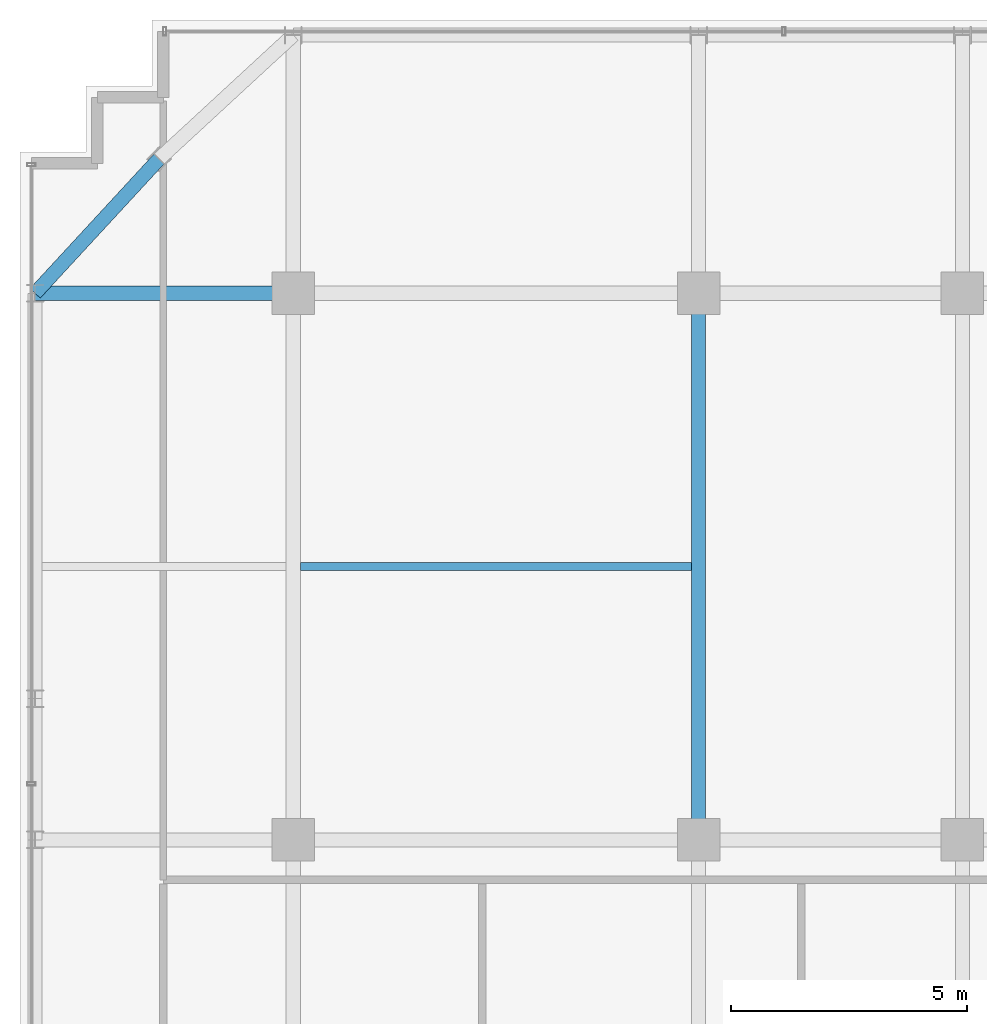
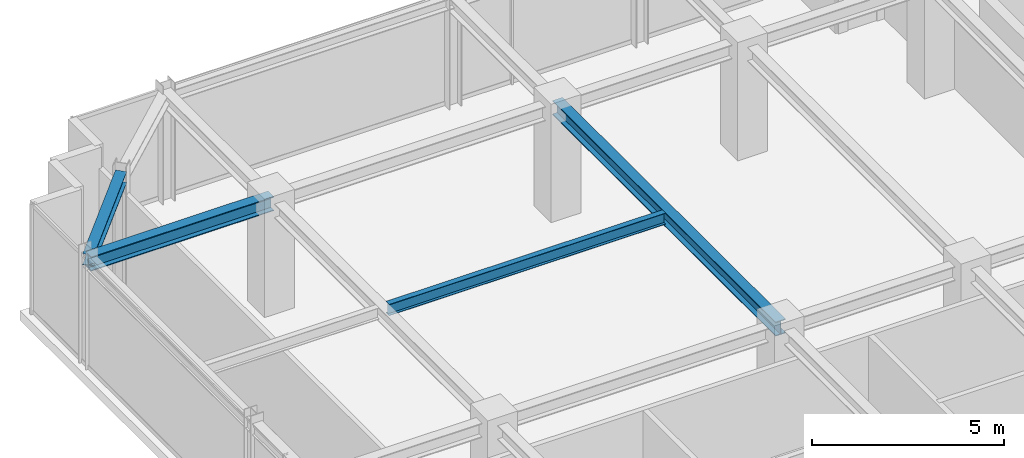
# One storey, part 16 of 32: 4 beams.
"""IFC4 building model written with IfcOpenShell, lengths in metres."""

from ifc_helpers import new_model, si_unit, direction, frame, origin, origin_2d, place, context, subcontext, project, spatial, i_section, extrude, source, transform, mapped, material, material_profile, profile_set, type_object, element, save


model = new_model("IFC4")

# Units and contexts
model_context = context("Model", 3, precision=1e-05, world=origin(), true_north=direction((0.0, 1.0)))
body_context = subcontext(model_context, "Body", "Model", "MODEL_VIEW")
ifc_project = project(units=[si_unit("LENGTHUNIT", "METRE"), si_unit("AREAUNIT", "SQUARE_METRE"), si_unit("VOLUMEUNIT", "CUBIC_METRE"), si_unit("PLANEANGLEUNIT", "RADIAN"), si_unit("MASSUNIT", "GRAM", prefix="KILO")], contexts=[model_context])

# Site, building, storey
site_placement = place(None, origin())
site = spatial("IfcSite", under=ifc_project, at=site_placement, CompositionType="ELEMENT")
building_placement = place(site_placement, origin())
building = spatial("IfcBuilding", under=site, at=building_placement, Name="Nahalor Promenade Grand Hotel", CompositionType="ELEMENT")
storey_placement = place(building_placement, frame((0.0, 0.0, 330.949951171875)))
storey = spatial("IfcBuildingStorey", under=building, at=storey_placement, Name="L85", CompositionType="ELEMENT", Elevation=330.949951171875)

# Beams
ifc_material = material(Name="Steel S355JR", Category="steel")
ifc_material_profile_1 = material_profile(ifc_material, i_section(OverallWidth=0.3, OverallDepth=0.45, WebThickness=0.014, FlangeThickness=0.026, at=origin_2d()), Name="HEB 450")
ifc_profile_set_1 = profile_set([ifc_material_profile_1], Name="Steel S355JR")
beam_type_1 = type_object("IfcBeamType", Name="Beam-Girder-HEB450", PredefinedType="BEAM", material=ifc_profile_set_1)
shared_shape_1 = source(origin(), body_context, "Body", "SweptSolid", [
    extrude(i_section(OverallWidth=0.3, OverallDepth=0.45, WebThickness=0.014, FlangeThickness=0.026, at=origin_2d()), origin(), (0.0, 0.0, 1.0), 11.60009765625),
])
beam_1_placement = place(storey_placement, frame((-8.39990234375, 5.39990234375, 3.275146484375), z_axis=(0.0, 1.0, 0.0), x_axis=(-1.0, 0.0, 0.0)))
element("IfcBeam", 1, at=beam_1_placement, inside=storey, type_object=beam_type_1, Name="BM-L85-GY-1-3", PredefinedType="BEAM", context=body_context, shape_type="MappedRepresentation", body=[
    mapped(shared_shape_1, transform((0.0, 0.0, 0.0), scale=1.0)),
])
shared_shape_2 = source(origin(), body_context, "Body", "SweptSolid", [
    extrude(i_section(OverallWidth=0.3, OverallDepth=0.45, WebThickness=0.014, FlangeThickness=0.026, at=origin_2d()), origin(), (0.0, 0.0, 1.0), 5.47998046875),
])
beam_2_placement = place(storey_placement, frame((-22.47998046875, 17.0, 3.275146484375), z_axis=(1.0, 0.0, 0.0), x_axis=(0.0, 1.0, 0.0)))
element("IfcBeam", 2, at=beam_2_placement, inside=storey, type_object=beam_type_1, Name="BM-L85-GX-3-0", PredefinedType="BEAM", context=body_context, shape_type="MappedRepresentation", body=[
    mapped(shared_shape_2, transform((0.0, 0.0, 0.0), scale=1.0)),
])
ifc_material_profile_2 = material_profile(ifc_material, i_section(OverallWidth=0.3, OverallDepth=0.36, WebThickness=0.0125, FlangeThickness=0.0225, at=origin_2d()), Name="HEB 360")
ifc_profile_set_2 = profile_set([ifc_material_profile_2], Name="Steel S355JR")
beam_type_2 = type_object("IfcBeamType", Name="Beam-Spandrel-HEB360", PredefinedType="SPANDREL", material=ifc_profile_set_2)
shared_shape_3 = source(origin(), body_context, "Body", "SweptSolid", [
    extrude(i_section(OverallWidth=0.3, OverallDepth=0.36, WebThickness=0.0125, FlangeThickness=0.0225, at=origin_2d()), origin(), (0.0, 0.0, 1.0), 3.878173828125),
])
beam_3_placement = place(storey_placement, frame((-19.85009765625, 19.85009765625, 3.320068359375), z_axis=(-0.678144125843, -0.73492893846, 0.0), x_axis=(0.73492893846, -0.678144125843, 0.0)))
element("IfcBeam", 3, at=beam_3_placement, inside=storey, type_object=beam_type_2, Name="BM-L85-SPC-NW-2", PredefinedType="SPANDREL", context=body_context, shape_type="MappedRepresentation", body=[
    mapped(shared_shape_3, transform((0.0, 0.0, 0.0), scale=1.0)),
])
ifc_material_profile_3 = material_profile(ifc_material, i_section(OverallWidth=0.17, OverallDepth=0.36, WebThickness=0.008, FlangeThickness=0.0127, at=origin_2d()), Name="IPE 360")
ifc_profile_set_3 = profile_set([ifc_material_profile_3], Name="Steel S355JR")
beam_type_3 = type_object("IfcBeamType", Name="Beam-Joist-IPE360", PredefinedType="JOIST", material=ifc_profile_set_3)
shared_shape_4 = source(origin(), body_context, "Body", "SweptSolid", [
    extrude(i_section(OverallWidth=0.17, OverallDepth=0.36, WebThickness=0.008, FlangeThickness=0.0127, at=origin_2d()), origin(), (0.0, 0.0, 1.0), 8.300048828125),
])
beam_4_placement = place(storey_placement, frame((-16.85009765625, 11.199951171875, 3.320068359375), z_axis=(1.0, 0.0, 0.0), x_axis=(0.0, 1.0, 0.0)))
element("IfcBeam", 4, at=beam_4_placement, inside=storey, type_object=beam_type_3, Name="BM-L85-JSW-1-1", PredefinedType="JOIST", context=body_context, shape_type="MappedRepresentation", body=[
    mapped(shared_shape_4, transform((0.0, 0.0, 0.0), scale=1.0)),
])

save(model, "model.ifc")
